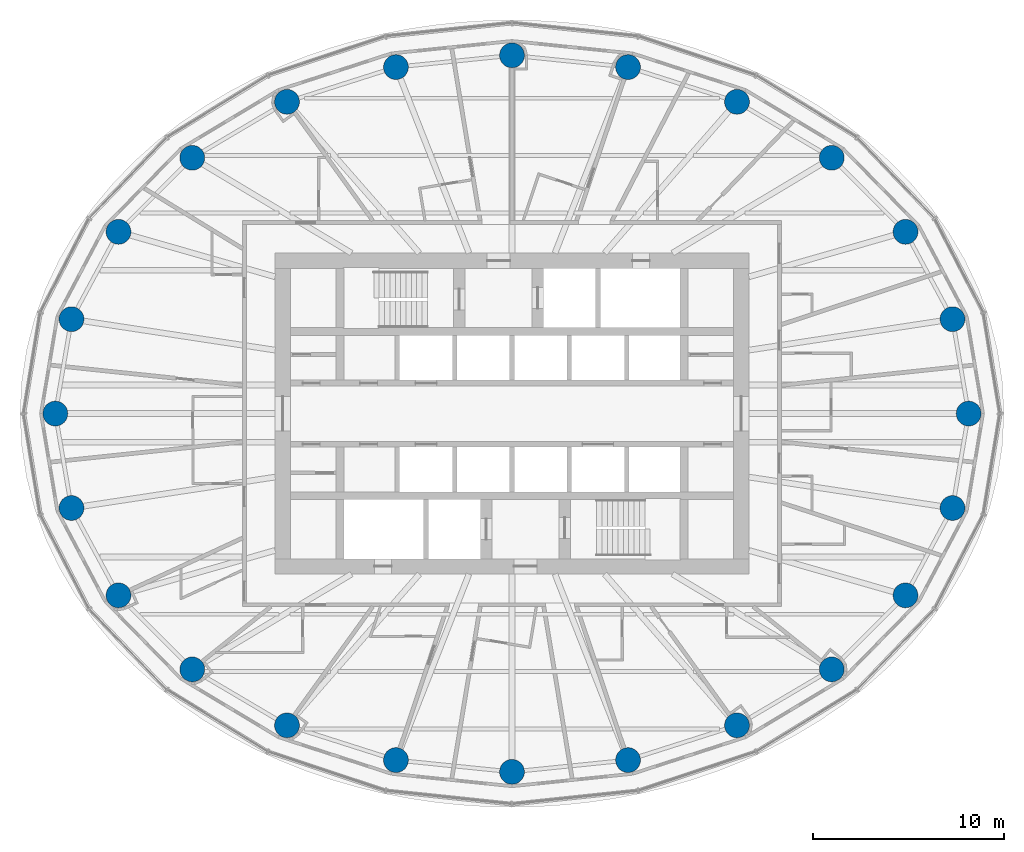
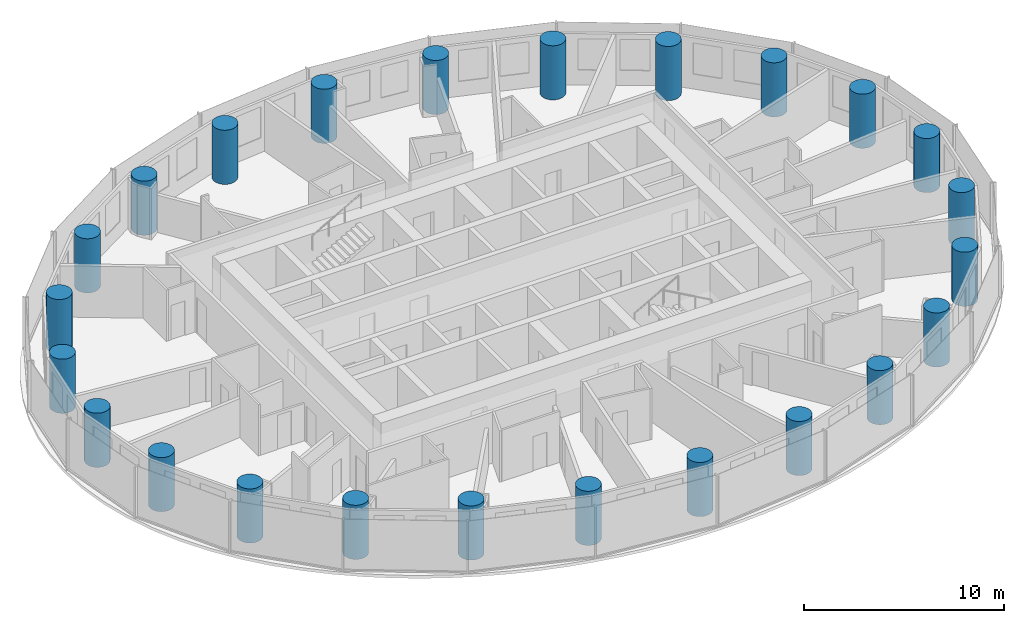
# One storey, part 1 of 13: 24 columns.
"""IFC4 building model written with IfcOpenShell, lengths in metres."""

from ifc_helpers import new_model, si_unit, direction, frame, origin, origin_2d, place, context, subcontext, project, spatial, circle, extrude, material, material_profile, profile_set, type_object, element, save


model = new_model("IFC4")

# Units and contexts
model_context = context("Model", 3, precision=1e-05, world=origin(), true_north=direction((0.0, 1.0)))
body_context = subcontext(model_context, "Body", "Model", "MODEL_VIEW")
ifc_project = project(units=[si_unit("LENGTHUNIT", "METRE"), si_unit("AREAUNIT", "SQUARE_METRE"), si_unit("VOLUMEUNIT", "CUBIC_METRE"), si_unit("PLANEANGLEUNIT", "RADIAN"), si_unit("MASSUNIT", "GRAM", prefix="KILO")], contexts=[model_context])

# Site, building, storey
site_placement = place(None, origin())
site = spatial("IfcSite", under=ifc_project, at=site_placement, CompositionType="ELEMENT")
building_placement = place(site_placement, origin())
building = spatial("IfcBuilding", under=site, at=building_placement, Name="Hankou Lantern Tower", CompositionType="ELEMENT")
storey_placement = place(building_placement, frame((0.0, 0.0, 132.0)))
storey = spatial("IfcBuildingStorey", under=building, at=storey_placement, Name="L34", CompositionType="ELEMENT", Elevation=132.0)

# Columns
ifc_material = material(Name="Concrete C60", Category="concrete")
ifc_material_profile = material_profile(ifc_material, circle(Radius=0.64990234375, at=origin_2d()), Name="RC D1300")
ifc_profile_set = profile_set([ifc_material_profile], Name="Concrete C60")
column_type = type_object("IfcColumnType", Name="TC3 PERIMETER COLUMN RC D1300", PredefinedType="COLUMN", material=ifc_profile_set)
for number, where, z_axis, x_axis, name in (
    (1, (23.89990234375, 0.0, 0.0), (0.0, 0.0, 1.0), (1.0, 0.0, 0.0), "Column R01 L34"),
    (2, (23.054931640625, 4.942138671875, 0.0), (0.0, 0.0, 1.0), (1.0, 0.0, 0.0), "Column R02 L34"),
    (3, (20.595703125, 9.5126953125, 0.0), (0.0, 0.0, 1.0), (1.0, 0.0, 0.0), "Column R03 L34"),
    (4, (16.73388671875, 13.38720703125, 0.0), (0.0, 0.0, 1.0), (1.0, 0.0, 0.0), "Column R04 L34"),
    (5, (11.775390625, 16.31640625, 0.0), (0.0, 0.0, 1.0), (1.0, 0.0, 0.0), "Column R05 L34"),
    (6, (6.073974609375, 18.134521484375, 0.0), (0.0, 0.0, 1.0), (1.0, 0.0, 0.0), "Column R06 L34"),
    (7, (0.0, 18.75, 0.0), (0.0, 0.0, 1.0), (1.0, 0.0, 0.0), "Column R07 L34"),
    (8, (-6.073974609375, 18.134521484375, 0.0), (0.0, 0.0, 1.0), (1.0, 0.0, 0.0), "Column R08 L34"),
    (9, (-11.775390625, 16.31640625, 0.0), (0.0, 0.0, 1.0), (1.0, 0.0, 0.0), "Column R09 L34"),
    (10, (-16.73388671875, 13.38720703125, 0.0), (0.0, 0.0, 1.0), (1.0, 0.0, 0.0), "Column R10 L34"),
    (11, (-20.595703125, 9.5126953125, 0.0), (0.0, 0.0, 1.0), (1.0, 0.0, 0.0), "Column R11 L34"),
    (12, (-23.054931640625, 4.942138671875, 0.0), (0.0, 0.0, 1.0), (1.0, 0.0, 0.0), "Column R12 L34"),
    (13, (-23.89990234375, 0.0, 0.0), (0.0, 0.0, 1.0), (1.0, 0.0, 0.0), "Column R13 L34"),
    (14, (-23.054931640625, -4.942138671875, 0.0), (0.0, 0.0, 1.0), (1.0, 0.0, 0.0), "Column R14 L34"),
    (15, (-20.595703125, -9.5126953125, 0.0), (0.0, 0.0, 1.0), (1.0, 0.0, 0.0), "Column R15 L34"),
    (16, (-16.73388671875, -13.38720703125, 0.0), (0.0, 0.0, 1.0), (1.0, 0.0, 0.0), "Column R16 L34"),
    (17, (-11.775390625, -16.31640625, 0.0), (0.0, 0.0, 1.0), (1.0, 0.0, 0.0), "Column R17 L34"),
    (18, (-6.073974609375, -18.134521484375, 0.0), (0.0, 0.0, 1.0), (1.0, 0.0, 0.0), "Column R18 L34"),
    (19, (0.0, -18.75, 0.0), (0.0, 0.0, 1.0), (1.0, 0.0, 0.0), "Column R19 L34"),
    (20, (6.073974609375, -18.134521484375, 0.0), (0.0, 0.0, 1.0), (1.0, 0.0, 0.0), "Column R20 L34"),
    (21, (11.775390625, -16.31640625, 0.0), (0.0, 0.0, 1.0), (1.0, 0.0, 0.0), "Column R21 L34"),
    (22, (16.73388671875, -13.38720703125, 0.0), (0.0, 0.0, 1.0), (1.0, 0.0, 0.0), "Column R22 L34"),
    (23, (20.595703125, -9.5126953125, 0.0), (0.0, 0.0, 1.0), (1.0, 0.0, 0.0), "Column R23 L34"),
    (24, (23.054931640625, -4.942138671875, 0.0), (0.0, 0.0, 1.0), (1.0, 0.0, 0.0), "Column R24 L34"),
):
    element("IfcColumn", number, at=place(storey_placement, frame(where, z_axis=z_axis, x_axis=x_axis)), inside=storey, type_object=column_type, Name=name, PredefinedType="COLUMN", context=body_context, shape_type="SweptSolid", body=[
        extrude(circle(Radius=0.64990234375, at=origin_2d()), origin(), (0.0, 0.0, 1.0), 3.300048828125),
    ])

save(model, "model.ifc")
